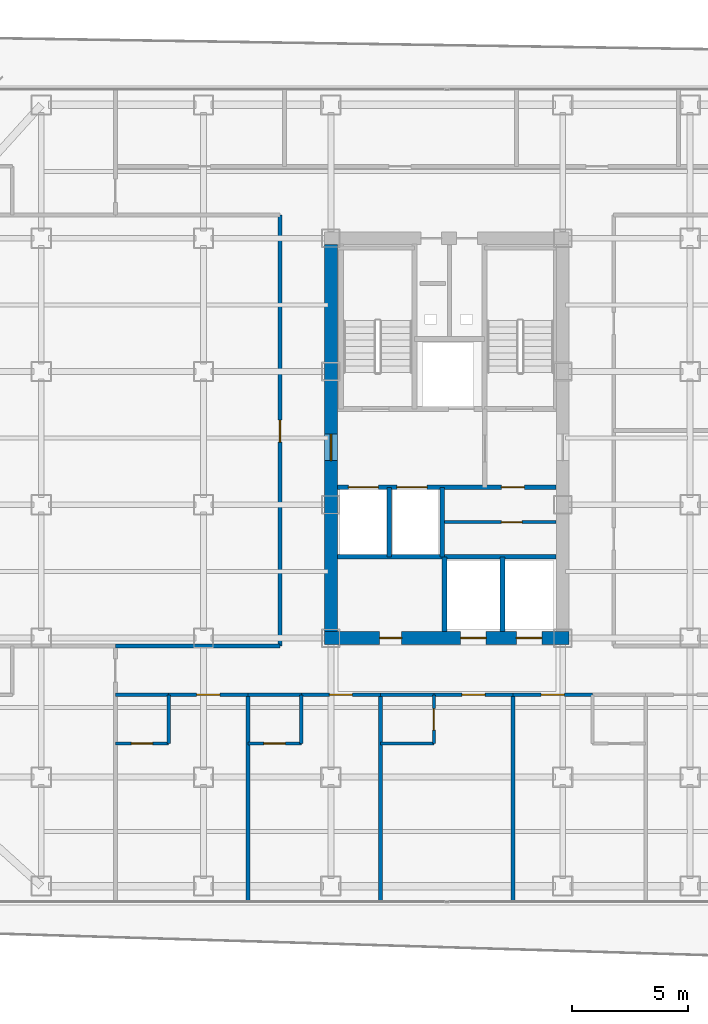
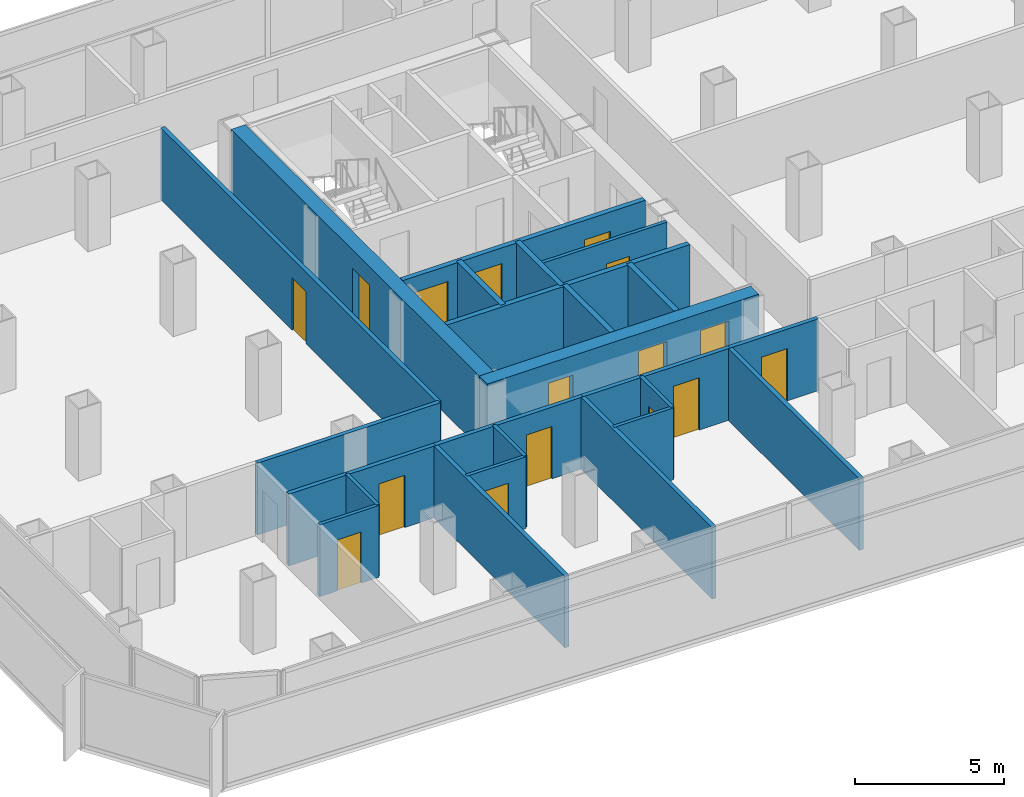
# One storey, part 16 of 21: 27 walls, 16 doors, 16 openings.
"""IFC4 building model written with IfcOpenShell, lengths in metres."""

from ifc_helpers import new_model, si_unit, direction, frame, frame_2d, origin, place, context, subcontext, project, spatial, rectangle, extrude, material, layer, layer_set, type_object, element, fill, save


model = new_model("IFC4")

# Units and contexts
model_context = context("Model", 3, precision=1e-05, world=origin(), true_north=direction((0.0, 1.0)))
body_context = subcontext(model_context, "Body", "Model", "MODEL_VIEW")
ifc_project = project(units=[si_unit("LENGTHUNIT", "METRE"), si_unit("AREAUNIT", "SQUARE_METRE"), si_unit("VOLUMEUNIT", "CUBIC_METRE"), si_unit("PLANEANGLEUNIT", "RADIAN"), si_unit("MASSUNIT", "GRAM", prefix="KILO")], contexts=[model_context])

# Site, building, storey
site_placement = place(None, origin())
site = spatial("IfcSite", under=ifc_project, at=site_placement, CompositionType="ELEMENT")
building_placement = place(site_placement, origin())
building = spatial("IfcBuilding", under=site, at=building_placement, Name="Kolveth Station Tower", CompositionType="ELEMENT")
storey_placement = place(building_placement, frame((0.0, 0.0, 99.10009765625)))
storey = spatial("IfcBuildingStorey", under=building, at=storey_placement, Name="L26", CompositionType="ELEMENT", Elevation=99.10009765625)

# Wall, openings, doors
ifc_material_1 = material(Name="Concrete C60/75", Category="concrete")
ifc_layer_1 = layer(ifc_material_1, 0.550048828125)
ifc_layer_set_1 = layer_set([ifc_layer_1], Name="Concrete C60/75")
wall_type_1 = type_object("IfcWallType", Name="Wall_CW-550", PredefinedType="SHEAR", material=ifc_layer_set_1)
wall_1_placement = place(storey_placement, frame((18.22509765625, 11.5, 0.0), z_axis=(0.0, 0.0, 1.0), x_axis=(1.0, 0.0, 0.0)))
wall_1 = element("IfcWall", 1, at=wall_1_placement, inside=storey, type_object=wall_type_1, Name="L26 Core RC Shear Wall S", PredefinedType="SHEAR", context=body_context, shape_type="SweptSolid", body=[
    extrude(rectangle(XDim=10.5498046875, YDim=0.550048828125, at=frame_2d((5.27490234375, 0.0))), origin(), (0.0, 0.0, 1.0), 2.949951171875),
])
opening_1_placement = place(wall_1_placement, frame((2.375, 0.0, 0.0)))
opening_1 = element("IfcOpeningElement", 2, at=opening_1_placement, cuts=wall_1, Name="Opening ID1", PredefinedType="OPENING", context=body_context, shape_type="SweptSolid", body=[
    extrude(rectangle(XDim=0.949951171875, YDim=2.14990234375, at=frame_2d((0.47509765625, 1.074951171875))), frame((0.0, 0.284912109375, 0.0), z_axis=(0.0, -1.0, 0.0), x_axis=(1.0, 0.0, 0.0)), (0.0, 0.0, 1.0), 0.570068359375),
])
opening_2_placement = place(wall_1_placement, frame((5.875, 0.0, 0.0)))
opening_2 = element("IfcOpeningElement", 3, at=opening_2_placement, cuts=wall_1, Name="Opening LD1", PredefinedType="OPENING", context=body_context, shape_type="SweptSolid", body=[
    extrude(rectangle(XDim=1.10009765625, YDim=2.25, at=frame_2d((0.550048828125, 1.125))), frame((0.0, 0.284912109375, 0.0), z_axis=(0.0, -1.0, 0.0), x_axis=(1.0, 0.0, 0.0)), (0.0, 0.0, 1.0), 0.570068359375),
])
opening_3_placement = place(wall_1_placement, frame((8.27490234375, 0.0, 0.0)))
opening_3 = element("IfcOpeningElement", 4, at=opening_3_placement, cuts=wall_1, Name="Opening LD1", PredefinedType="OPENING", context=body_context, shape_type="SweptSolid", body=[
    extrude(rectangle(XDim=1.10009765625, YDim=2.25, at=frame_2d((0.550048828125, 1.125))), frame((0.0, 0.284912109375, 0.0), z_axis=(0.0, -1.0, 0.0), x_axis=(1.0, 0.0, 0.0)), (0.0, 0.0, 1.0), 0.570068359375),
])
ifc_material_2 = material(Name="Acoustic hardwood leaf and aluminium frame", Category="wood")
door_type_1 = type_object("IfcDoorType", Name="Door_ID1", OperationType="NOTDEFINED", PredefinedType="DOOR", material=ifc_material_2)
door_1_placement = place(opening_1_placement, frame((0.949951171875, 0.0, 0.0), z_axis=(0.0, 0.0, 1.0), x_axis=(-1.0, 0.0, 0.0)))
door_1 = element("IfcDoor", 5, at=door_1_placement, inside=storey, type_object=door_type_1, Name="L26 Hotel Pantry Door", OperationType="SINGLE_SWING_RIGHT", OverallHeight=2.14990234375, OverallWidth=0.949951171875, PredefinedType="DOOR", context=body_context, shape_type="SweptSolid", body=[
    extrude(rectangle(XDim=0.949951171875, YDim=2.14990234375, at=frame_2d((0.47509765625, 1.074951171875))), frame((0.0, 0.02490234375, 0.0), z_axis=(0.0, -1.0, 0.0), x_axis=(1.0, 0.0, 0.0)), (0.0, 0.0, 1.0), 0.050048828125),
])
fill(opening_1, door_1)
ifc_material_3 = material(Name="Brushed stainless steel sliding landing doors", Category="steel")
door_type_2 = type_object("IfcDoorType", Name="Door_LD1", OperationType="NOTDEFINED", PredefinedType="DOOR", material=ifc_material_3)
door_2_placement = place(opening_2_placement, frame((1.10009765625, 0.0, 0.0), z_axis=(0.0, 0.0, 1.0), x_axis=(-1.0, 0.0, 0.0)))
door_2 = element("IfcDoor", 6, at=door_2_placement, inside=storey, type_object=door_type_2, Name="L26 Lift PM1 Landing Door", OperationType="DOUBLE_DOOR_SLIDING", OverallHeight=2.25, OverallWidth=1.10009765625, PredefinedType="DOOR", context=body_context, shape_type="SweptSolid", body=[
    extrude(rectangle(XDim=1.10009765625, YDim=2.25, at=frame_2d((0.550048828125, 1.125))), frame((0.0, 0.02490234375, 0.0), z_axis=(0.0, -1.0, 0.0), x_axis=(1.0, 0.0, 0.0)), (0.0, 0.0, 1.0), 0.050048828125),
])
fill(opening_2, door_2)
door_3_placement = place(opening_3_placement, frame((1.10009765625, 0.0, 0.0), z_axis=(0.0, 0.0, 1.0), x_axis=(-1.0, 0.0, 0.0)))
door_3 = element("IfcDoor", 7, at=door_3_placement, inside=storey, type_object=door_type_2, Name="L26 Lift PH1 Landing Door", OperationType="DOUBLE_DOOR_SLIDING", OverallHeight=2.25, OverallWidth=1.10009765625, PredefinedType="DOOR", context=body_context, shape_type="SweptSolid", body=[
    extrude(rectangle(XDim=1.10009765625, YDim=2.25, at=frame_2d((0.550048828125, 1.125))), frame((0.0, 0.02490234375, 0.0), z_axis=(0.0, -1.0, 0.0), x_axis=(1.0, 0.0, 0.0)), (0.0, 0.0, 1.0), 0.050048828125),
])
fill(opening_3, door_3)

# Wall, opening, door
wall_2_placement = place(storey_placement, frame((18.5, 11.77490234375, 0.0), z_axis=(0.0, 0.0, 1.0), x_axis=(0.0, 1.0, 0.0)))
wall_2 = element("IfcWall", 8, at=wall_2_placement, inside=storey, type_object=wall_type_1, Name="L26 Core RC Shear Wall W", PredefinedType="SHEAR", context=body_context, shape_type="SweptSolid", body=[
    extrude(rectangle(XDim=16.7001953125, YDim=0.550048828125, at=frame_2d((8.35009765625, 0.0))), origin(), (0.0, 0.0, 1.0), 2.949951171875),
])
opening_4_placement = place(wall_2_placement, frame((7.375, 0.0, 0.0)))
opening_4 = element("IfcOpeningElement", 9, at=opening_4_placement, cuts=wall_2, Name="Opening FD1", PredefinedType="OPENING", context=body_context, shape_type="SweptSolid", body=[
    extrude(rectangle(XDim=1.14990234375, YDim=2.199951171875, at=frame_2d((0.574951171875, 1.10009765625))), frame((0.0, 0.284912109375, 0.0), z_axis=(0.0, -1.0, 0.0), x_axis=(1.0, 0.0, 0.0)), (0.0, 0.0, 1.0), 0.570068359375),
])
ifc_material_4 = material(Name="Fire-rated Steel S355 leaf and frame", Category="steel")
door_type_3 = type_object("IfcDoorType", Name="Door_FD1", OperationType="NOTDEFINED", PredefinedType="DOOR", material=ifc_material_4)
door_4_placement = place(opening_4_placement, frame((1.14990234375, 0.0, 0.0), z_axis=(0.0, 0.0, 1.0), x_axis=(-1.0, 0.0, 0.0)))
door_4 = element("IfcDoor", 10, at=door_4_placement, inside=storey, type_object=door_type_3, Name="L26 West Corridor to Firefighting Lobby Door", OperationType="SINGLE_SWING_LEFT", OverallHeight=2.199951171875, OverallWidth=1.14990234375, PredefinedType="DOOR", context=body_context, shape_type="SweptSolid", body=[
    extrude(rectangle(XDim=1.14990234375, YDim=2.199951171875, at=frame_2d((0.574951171875, 1.10009765625))), frame((0.0, 0.02490234375, 0.0), z_axis=(0.0, -1.0, 0.0), x_axis=(1.0, 0.0, 0.0)), (0.0, 0.0, 1.0), 0.050048828125),
])
fill(opening_4, door_4)

ifc_material_5 = material(Name="Moisture-resistant gypsum partition")
ifc_layer_2 = layer(ifc_material_5, 0.135009765625)
ifc_layer_set_2 = layer_set([ifc_layer_2], Name="Moisture-resistant gypsum partition")
wall_type_2 = type_object("IfcWallType", Name="Wall_IW-135", PredefinedType="PARTITIONING", material=ifc_layer_set_2)
wall_3_placement = place(storey_placement, frame((23.300048828125, 16.5, 0.0), z_axis=(0.0, 0.0, 1.0), x_axis=(1.0, 0.0, 0.0)))
wall_3 = element("IfcWall", 11, at=wall_3_placement, inside=storey, type_object=wall_type_2, Name="L26 Partition Wall WL-L26-CB-H1", PredefinedType="PARTITIONING", context=body_context, shape_type="SweptSolid", body=[
    extrude(rectangle(XDim=4.9150390625, YDim=0.135009765625, at=frame_2d((2.45751953125, 0.0))), origin(), (0.0, 0.0, 1.0), 2.949951171875),
])
opening_5_placement = place(wall_3_placement, frame((2.550048828125, 0.0, 0.0)))
opening_5 = element("IfcOpeningElement", 12, at=opening_5_placement, cuts=wall_3, Name="Opening RD1", PredefinedType="OPENING", context=body_context, shape_type="SweptSolid", body=[
    extrude(rectangle(XDim=0.89990234375, YDim=2.050048828125, at=frame_2d((0.449951171875, 1.02490234375))), frame((0.0, 0.077392578125, 0.0), z_axis=(0.0, -1.0, 0.0), x_axis=(1.0, 0.0, 0.0)), (0.0, 0.0, 1.0), 0.155029296875),
])
ifc_material_6 = material(Name="Fire-rated Steel S355 riser access leaf", Category="steel")
door_type_4 = type_object("IfcDoorType", Name="Door_RD1", OperationType="NOTDEFINED", PredefinedType="DOOR", material=ifc_material_6)
door_5_placement = place(opening_5_placement, frame((0.89990234375, 0.0, 0.0), z_axis=(0.0, 0.0, 1.0), x_axis=(-1.0, 0.0, 0.0)))
door_5 = element("IfcDoor", 13, at=door_5_placement, inside=storey, type_object=door_type_4, Name="L26 Core Equipment Store Door", OperationType="SINGLE_SWING_LEFT", OverallHeight=2.050048828125, OverallWidth=0.89990234375, PredefinedType="DOOR", context=body_context, shape_type="SweptSolid", body=[
    extrude(rectangle(XDim=0.89990234375, YDim=2.050048828125, at=frame_2d((0.449951171875, 1.02490234375))), frame((0.0, 0.02490234375, 0.0), z_axis=(0.0, -1.0, 0.0), x_axis=(1.0, 0.0, 0.0)), (0.0, 0.0, 1.0), 0.050048828125),
])
fill(opening_5, door_5)

# Wall
wall_4_placement = place(storey_placement, frame((11.5, 6.949951171875, 0.0), z_axis=(0.0, 0.0, 1.0), x_axis=(0.0, 1.0, 0.0)))
element("IfcWall", 14, at=wall_4_placement, inside=storey, type_object=wall_type_2, Name="L26 Partition Wall WL-L26-HS1-BV", PredefinedType="PARTITIONING", context=body_context, shape_type="SweptSolid", body=[
    extrude(rectangle(XDim=2.10009765625, YDim=0.135009765625, at=frame_2d((1.050048828125, 0.0))), origin(), (0.0, 0.0, 1.0), 2.949951171875),
])

# Wall, opening, door
wall_5_placement = place(storey_placement, frame((9.199951171875, 6.949951171875, 0.0), z_axis=(0.0, 0.0, 1.0), x_axis=(1.0, 0.0, 0.0)))
wall_5 = element("IfcWall", 15, at=wall_5_placement, inside=storey, type_object=wall_type_2, Name="L26 Partition Wall WL-L26-HS1-BH", PredefinedType="PARTITIONING", context=body_context, shape_type="SweptSolid", body=[
    extrude(rectangle(XDim=2.300048828125, YDim=0.135009765625, at=frame_2d((1.14990234375, 0.0))), origin(), (0.0, 0.0, 1.0), 2.949951171875),
])
opening_6_placement = place(wall_5_placement, frame((0.68994140625, 0.0, 0.0)))
opening_6 = element("IfcOpeningElement", 16, at=opening_6_placement, cuts=wall_5, Name="Opening ID2", PredefinedType="OPENING", context=body_context, shape_type="SweptSolid", body=[
    extrude(rectangle(XDim=0.919921875, YDim=2.10009765625, at=frame_2d((0.4599609375, 1.050048828125))), frame((0.0, 0.077392578125, 0.0), z_axis=(0.0, -1.0, 0.0), x_axis=(1.0, 0.0, 0.0)), (0.0, 0.0, 1.0), 0.155029296875),
])
ifc_material_7 = material(Name="Moisture-resistant hardwood leaf", Category="wood")
door_type_5 = type_object("IfcDoorType", Name="Door_ID2", OperationType="NOTDEFINED", PredefinedType="DOOR", material=ifc_material_7)
door_6_placement = place(opening_6_placement, origin())
door_6 = element("IfcDoor", 17, at=door_6_placement, inside=storey, type_object=door_type_5, Name="L26 Hotel Guest Room HS1 En-Suite Door", OperationType="SINGLE_SWING_LEFT", OverallHeight=2.10009765625, OverallWidth=0.919921875, PredefinedType="DOOR", context=body_context, shape_type="SweptSolid", body=[
    extrude(rectangle(XDim=0.919921875, YDim=2.10009765625, at=frame_2d((0.4599609375, 1.050048828125))), frame((0.0, 0.02490234375, 0.0), z_axis=(0.0, -1.0, 0.0), x_axis=(1.0, 0.0, 0.0)), (0.0, 0.0, 1.0), 0.050048828125),
])
fill(opening_6, door_6)

# Wall
wall_6_placement = place(storey_placement, frame((17.219970703125, 6.949951171875, 0.0), z_axis=(0.0, 0.0, 1.0), x_axis=(0.0, 1.0, 0.0)))
element("IfcWall", 18, at=wall_6_placement, inside=storey, type_object=wall_type_2, Name="L26 Partition Wall WL-L26-HS2-BV", PredefinedType="PARTITIONING", context=body_context, shape_type="SweptSolid", body=[
    extrude(rectangle(XDim=2.10009765625, YDim=0.135009765625, at=frame_2d((1.050048828125, 0.0))), origin(), (0.0, 0.0, 1.0), 2.949951171875),
])

# Wall, opening, door
wall_7_placement = place(storey_placement, frame((14.919921875, 6.949951171875, 0.0), z_axis=(0.0, 0.0, 1.0), x_axis=(1.0, 0.0, 0.0)))
wall_7 = element("IfcWall", 19, at=wall_7_placement, inside=storey, type_object=wall_type_2, Name="L26 Partition Wall WL-L26-HS2-BH", PredefinedType="PARTITIONING", context=body_context, shape_type="SweptSolid", body=[
    extrude(rectangle(XDim=2.300048828125, YDim=0.135009765625, at=frame_2d((1.14990234375, 0.0))), origin(), (0.0, 0.0, 1.0), 2.949951171875),
])
opening_7_placement = place(wall_7_placement, frame((0.68994140625, 0.0, 0.0)))
opening_7 = element("IfcOpeningElement", 20, at=opening_7_placement, cuts=wall_7, Name="Opening ID2", PredefinedType="OPENING", context=body_context, shape_type="SweptSolid", body=[
    extrude(rectangle(XDim=0.919921875, YDim=2.10009765625, at=frame_2d((0.4599609375, 1.050048828125))), frame((0.0, 0.077392578125, 0.0), z_axis=(0.0, -1.0, 0.0), x_axis=(1.0, 0.0, 0.0)), (0.0, 0.0, 1.0), 0.155029296875),
])
door_7_placement = place(opening_7_placement, origin())
door_7 = element("IfcDoor", 21, at=door_7_placement, inside=storey, type_object=door_type_5, Name="L26 Hotel Guest Room HS2 En-Suite Door", OperationType="SINGLE_SWING_LEFT", OverallHeight=2.10009765625, OverallWidth=0.919921875, PredefinedType="DOOR", context=body_context, shape_type="SweptSolid", body=[
    extrude(rectangle(XDim=0.919921875, YDim=2.10009765625, at=frame_2d((0.4599609375, 1.050048828125))), frame((0.0, 0.02490234375, 0.0), z_axis=(0.0, -1.0, 0.0), x_axis=(1.0, 0.0, 0.0)), (0.0, 0.0, 1.0), 0.050048828125),
])
fill(opening_7, door_7)

wall_8_placement = place(storey_placement, frame((22.93994140625, 6.949951171875, 0.0), z_axis=(0.0, 0.0, 1.0), x_axis=(0.0, 1.0, 0.0)))
wall_8 = element("IfcWall", 22, at=wall_8_placement, inside=storey, type_object=wall_type_2, Name="L26 Partition Wall WL-L26-HS3-BV", PredefinedType="PARTITIONING", context=body_context, shape_type="SweptSolid", body=[
    extrude(rectangle(XDim=2.10009765625, YDim=0.135009765625, at=frame_2d((1.050048828125, 0.0))), origin(), (0.0, 0.0, 1.0), 2.949951171875),
])
opening_8_placement = place(wall_8_placement, frame((0.580078125, 0.0, 0.0)))
opening_8 = element("IfcOpeningElement", 23, at=opening_8_placement, cuts=wall_8, Name="Opening ID2", PredefinedType="OPENING", context=body_context, shape_type="SweptSolid", body=[
    extrude(rectangle(XDim=0.919921875, YDim=2.10009765625, at=frame_2d((0.4599609375, 1.050048828125))), frame((0.0, 0.077392578125, 0.0), z_axis=(0.0, -1.0, 0.0), x_axis=(1.0, 0.0, 0.0)), (0.0, 0.0, 1.0), 0.155029296875),
])
door_8_placement = place(opening_8_placement, frame((0.919921875, 0.0, 0.0), z_axis=(0.0, 0.0, 1.0), x_axis=(-1.0, 0.0, 0.0)))
door_8 = element("IfcDoor", 24, at=door_8_placement, inside=storey, type_object=door_type_5, Name="L26 Hotel Guest Room HS3 En-Suite Door", OperationType="SINGLE_SWING_LEFT", OverallHeight=2.10009765625, OverallWidth=0.919921875, PredefinedType="DOOR", context=body_context, shape_type="SweptSolid", body=[
    extrude(rectangle(XDim=0.919921875, YDim=2.10009765625, at=frame_2d((0.4599609375, 1.050048828125))), frame((0.0, 0.02490234375, 0.0), z_axis=(0.0, -1.0, 0.0), x_axis=(1.0, 0.0, 0.0)), (0.0, 0.0, 1.0), 0.050048828125),
])
fill(opening_8, door_8)

# Walls
wall_9_placement = place(storey_placement, frame((20.639892578125, 6.949951171875, 0.0), z_axis=(0.0, 0.0, 1.0), x_axis=(1.0, 0.0, 0.0)))
element("IfcWall", 25, at=wall_9_placement, inside=storey, type_object=wall_type_2, Name="L26 Partition Wall WL-L26-HS3-BH", PredefinedType="PARTITIONING", context=body_context, shape_type="SweptSolid", body=[
    extrude(rectangle(XDim=2.300048828125, YDim=0.135009765625, at=frame_2d((1.14990234375, 0.0))), origin(), (0.0, 0.0, 1.0), 2.949951171875),
])
ifc_material_8 = material(Name="Acoustic double-stud gypsum partition")
ifc_layer_3 = layer(ifc_material_8, 0.1650390625)
ifc_layer_set_3 = layer_set([ifc_layer_3], Name="Acoustic double-stud gypsum partition")
wall_type_3 = type_object("IfcWallType", Name="Wall_IW-165", PredefinedType="PARTITIONING", material=ifc_layer_set_3)
wall_10_placement = place(storey_placement, frame((9.199951171875, 11.14990234375, 0.0), z_axis=(0.0, 0.0, 1.0), x_axis=(1.0, 0.0, 0.0)))
element("IfcWall", 26, at=wall_10_placement, inside=storey, type_object=wall_type_3, Name="L26 Partition Wall WL-L26-HSWT", PredefinedType="PARTITIONING", context=body_context, shape_type="SweptSolid", body=[
    extrude(rectangle(XDim=7.10009765625, YDim=0.1650390625, at=frame_2d((3.550048828125, 0.0))), origin(), (0.0, 0.0, 1.0), 2.949951171875),
])

# Wall, opening, door
wall_11_placement = place(storey_placement, frame((16.300048828125, 11.14990234375, 0.0), z_axis=(0.0, 0.0, 1.0), x_axis=(0.0, 1.0, 0.0)))
wall_11 = element("IfcWall", 27, at=wall_11_placement, inside=storey, type_object=wall_type_3, Name="L26 Partition Wall WL-L26-HW", PredefinedType="PARTITIONING", context=body_context, shape_type="SweptSolid", body=[
    extrude(rectangle(XDim=18.60009765625, YDim=0.1650390625, at=frame_2d((9.300048828125, 0.0))), origin(), (0.0, 0.0, 1.0), 2.949951171875),
])
opening_9_placement = place(wall_11_placement, frame((8.800048828125, 0.0, 0.0)))
opening_9 = element("IfcOpeningElement", 28, at=opening_9_placement, cuts=wall_11, Name="Opening ID1", PredefinedType="OPENING", context=body_context, shape_type="SweptSolid", body=[
    extrude(rectangle(XDim=0.949951171875, YDim=2.14990234375, at=frame_2d((0.47509765625, 1.074951171875))), frame((0.0, 0.092529296875, 0.0), z_axis=(0.0, -1.0, 0.0), x_axis=(1.0, 0.0, 0.0)), (0.0, 0.0, 1.0), 0.18505859375),
])
door_9_placement = place(opening_9_placement, frame((0.949951171875, 0.0, 0.0), z_axis=(0.0, 0.0, 1.0), x_axis=(-1.0, 0.0, 0.0)))
door_9 = element("IfcDoor", 29, at=door_9_placement, inside=storey, type_object=door_type_1, Name="L26 Executive Banquet Salon Door", OperationType="SINGLE_SWING_LEFT", OverallHeight=2.14990234375, OverallWidth=0.949951171875, PredefinedType="DOOR", context=body_context, shape_type="SweptSolid", body=[
    extrude(rectangle(XDim=0.949951171875, YDim=2.14990234375, at=frame_2d((0.47509765625, 1.074951171875))), frame((0.0, 0.02490234375, 0.0), z_axis=(0.0, -1.0, 0.0), x_axis=(1.0, 0.0, 0.0)), (0.0, 0.0, 1.0), 0.050048828125),
])
fill(opening_9, door_9)

# Wall
wall_12_placement = place(storey_placement, frame((9.199951171875, 9.050048828125, 0.0), z_axis=(0.0, 0.0, 1.0), x_axis=(1.0, 0.0, 0.0)))
element("IfcWall", 30, at=wall_12_placement, inside=storey, type_object=wall_type_3, Name="L26 Partition Wall WL-L26-HS1-BCOR", PredefinedType="PARTITIONING", context=body_context, shape_type="SweptSolid", body=[
    extrude(rectangle(XDim=2.300048828125, YDim=0.1650390625, at=frame_2d((1.14990234375, 0.0))), origin(), (0.0, 0.0, 1.0), 2.949951171875),
])

# Wall, opening, door
wall_13_placement = place(storey_placement, frame((11.5, 9.050048828125, 0.0), z_axis=(0.0, 0.0, 1.0), x_axis=(1.0, 0.0, 0.0)))
wall_13 = element("IfcWall", 31, at=wall_13_placement, inside=storey, type_object=wall_type_3, Name="L26 Partition Wall WL-L26-HS1-RCOR", PredefinedType="PARTITIONING", context=body_context, shape_type="SweptSolid", body=[
    extrude(rectangle(XDim=3.419921875, YDim=0.1650390625, at=frame_2d((1.7099609375, 0.0))), origin(), (0.0, 0.0, 1.0), 2.949951171875),
])
opening_10_placement = place(wall_13_placement, frame((1.2099609375, 0.0, 0.0)))
opening_10 = element("IfcOpeningElement", 32, at=opening_10_placement, cuts=wall_13, Name="Opening FD3", PredefinedType="OPENING", context=body_context, shape_type="SweptSolid", body=[
    extrude(rectangle(XDim=1.0, YDim=2.14990234375, at=frame_2d((0.5, 1.074951171875))), frame((0.0, 0.092529296875, 0.0), z_axis=(0.0, -1.0, 0.0), x_axis=(1.0, 0.0, 0.0)), (0.0, 0.0, 1.0), 0.18505859375),
])
ifc_material_9 = material(Name="Fire-rated hardwood leaf and aluminium frame", Category="wood")
door_type_6 = type_object("IfcDoorType", Name="Door_FD3", OperationType="NOTDEFINED", PredefinedType="DOOR", material=ifc_material_9)
door_10_placement = place(opening_10_placement, frame((1.0, 0.0, 0.0), z_axis=(0.0, 0.0, 1.0), x_axis=(-1.0, 0.0, 0.0)))
door_10 = element("IfcDoor", 33, at=door_10_placement, inside=storey, type_object=door_type_6, Name="L26 Hotel Guest Room HS1 Entrance Door", OperationType="SINGLE_SWING_RIGHT", OverallHeight=2.14990234375, OverallWidth=1.0, PredefinedType="DOOR", context=body_context, shape_type="SweptSolid", body=[
    extrude(rectangle(XDim=1.0, YDim=2.14990234375, at=frame_2d((0.5, 1.074951171875))), frame((0.0, 0.02490234375, 0.0), z_axis=(0.0, -1.0, 0.0), x_axis=(1.0, 0.0, 0.0)), (0.0, 0.0, 1.0), 0.050048828125),
])
fill(opening_10, door_10)

# Walls
wall_14_placement = place(storey_placement, frame((14.919921875, 0.159912109375, 0.0), z_axis=(0.0, 0.0, 1.0), x_axis=(0.0, 1.0, 0.0)))
element("IfcWall", 34, at=wall_14_placement, inside=storey, type_object=wall_type_3, Name="L26 Partition Wall WL-L26-HSK-1", PredefinedType="PARTITIONING", context=body_context, shape_type="SweptSolid", body=[
    extrude(rectangle(XDim=8.89013671875, YDim=0.1650390625, at=frame_2d((4.445068359375, 0.0))), origin(), (0.0, 0.0, 1.0), 2.949951171875),
])
wall_15_placement = place(storey_placement, frame((14.919921875, 9.050048828125, 0.0), z_axis=(0.0, 0.0, 1.0), x_axis=(1.0, 0.0, 0.0)))
element("IfcWall", 35, at=wall_15_placement, inside=storey, type_object=wall_type_3, Name="L26 Partition Wall WL-L26-HS2-BCOR", PredefinedType="PARTITIONING", context=body_context, shape_type="SweptSolid", body=[
    extrude(rectangle(XDim=2.300048828125, YDim=0.1650390625, at=frame_2d((1.14990234375, 0.0))), origin(), (0.0, 0.0, 1.0), 2.949951171875),
])

# Wall, opening, door
wall_16_placement = place(storey_placement, frame((17.219970703125, 9.050048828125, 0.0), z_axis=(0.0, 0.0, 1.0), x_axis=(1.0, 0.0, 0.0)))
wall_16 = element("IfcWall", 36, at=wall_16_placement, inside=storey, type_object=wall_type_3, Name="L26 Partition Wall WL-L26-HS2-RCOR", PredefinedType="PARTITIONING", context=body_context, shape_type="SweptSolid", body=[
    extrude(rectangle(XDim=3.419921875, YDim=0.1650390625, at=frame_2d((1.7099609375, 0.0))), origin(), (0.0, 0.0, 1.0), 2.949951171875),
])
opening_11_placement = place(wall_16_placement, frame((1.2099609375, 0.0, 0.0)))
opening_11 = element("IfcOpeningElement", 37, at=opening_11_placement, cuts=wall_16, Name="Opening FD3", PredefinedType="OPENING", context=body_context, shape_type="SweptSolid", body=[
    extrude(rectangle(XDim=1.0, YDim=2.14990234375, at=frame_2d((0.5, 1.074951171875))), frame((0.0, 0.092529296875, 0.0), z_axis=(0.0, -1.0, 0.0), x_axis=(1.0, 0.0, 0.0)), (0.0, 0.0, 1.0), 0.18505859375),
])
door_11_placement = place(opening_11_placement, frame((1.0, 0.0, 0.0), z_axis=(0.0, 0.0, 1.0), x_axis=(-1.0, 0.0, 0.0)))
door_11 = element("IfcDoor", 38, at=door_11_placement, inside=storey, type_object=door_type_6, Name="L26 Hotel Guest Room HS2 Entrance Door", OperationType="SINGLE_SWING_RIGHT", OverallHeight=2.14990234375, OverallWidth=1.0, PredefinedType="DOOR", context=body_context, shape_type="SweptSolid", body=[
    extrude(rectangle(XDim=1.0, YDim=2.14990234375, at=frame_2d((0.5, 1.074951171875))), frame((0.0, 0.02490234375, 0.0), z_axis=(0.0, -1.0, 0.0), x_axis=(1.0, 0.0, 0.0)), (0.0, 0.0, 1.0), 0.050048828125),
])
fill(opening_11, door_11)

# Walls
wall_17_placement = place(storey_placement, frame((20.639892578125, 0.159912109375, 0.0), z_axis=(0.0, 0.0, 1.0), x_axis=(0.0, 1.0, 0.0)))
element("IfcWall", 39, at=wall_17_placement, inside=storey, type_object=wall_type_3, Name="L26 Partition Wall WL-L26-HSK-2", PredefinedType="PARTITIONING", context=body_context, shape_type="SweptSolid", body=[
    extrude(rectangle(XDim=8.89013671875, YDim=0.1650390625, at=frame_2d((4.445068359375, 0.0))), origin(), (0.0, 0.0, 1.0), 2.949951171875),
])
wall_18_placement = place(storey_placement, frame((20.639892578125, 9.050048828125, 0.0), z_axis=(0.0, 0.0, 1.0), x_axis=(1.0, 0.0, 0.0)))
element("IfcWall", 40, at=wall_18_placement, inside=storey, type_object=wall_type_3, Name="L26 Partition Wall WL-L26-HS3-BCOR", PredefinedType="PARTITIONING", context=body_context, shape_type="SweptSolid", body=[
    extrude(rectangle(XDim=2.300048828125, YDim=0.1650390625, at=frame_2d((1.14990234375, 0.0))), origin(), (0.0, 0.0, 1.0), 2.949951171875),
])

# Wall, opening, door
wall_19_placement = place(storey_placement, frame((22.93994140625, 9.050048828125, 0.0), z_axis=(0.0, 0.0, 1.0), x_axis=(1.0, 0.0, 0.0)))
wall_19 = element("IfcWall", 41, at=wall_19_placement, inside=storey, type_object=wall_type_3, Name="L26 Partition Wall WL-L26-HS3-RCOR", PredefinedType="PARTITIONING", context=body_context, shape_type="SweptSolid", body=[
    extrude(rectangle(XDim=3.420166015625, YDim=0.1650390625, at=frame_2d((1.7099609375, 0.0))), origin(), (0.0, 0.0, 1.0), 2.949951171875),
])
opening_12_placement = place(wall_19_placement, frame((1.2099609375, 0.0, 0.0)))
opening_12 = element("IfcOpeningElement", 42, at=opening_12_placement, cuts=wall_19, Name="Opening FD3", PredefinedType="OPENING", context=body_context, shape_type="SweptSolid", body=[
    extrude(rectangle(XDim=1.0, YDim=2.14990234375, at=frame_2d((0.5, 1.074951171875))), frame((0.0, 0.092529296875, 0.0), z_axis=(0.0, -1.0, 0.0), x_axis=(1.0, 0.0, 0.0)), (0.0, 0.0, 1.0), 0.18505859375),
])
door_12_placement = place(opening_12_placement, frame((1.0, 0.0, 0.0), z_axis=(0.0, 0.0, 1.0), x_axis=(-1.0, 0.0, 0.0)))
door_12 = element("IfcDoor", 43, at=door_12_placement, inside=storey, type_object=door_type_6, Name="L26 Hotel Guest Room HS3 Entrance Door", OperationType="SINGLE_SWING_RIGHT", OverallHeight=2.14990234375, OverallWidth=1.0, PredefinedType="DOOR", context=body_context, shape_type="SweptSolid", body=[
    extrude(rectangle(XDim=1.0, YDim=2.14990234375, at=frame_2d((0.5, 1.074951171875))), frame((0.0, 0.02490234375, 0.0), z_axis=(0.0, -1.0, 0.0), x_axis=(1.0, 0.0, 0.0)), (0.0, 0.0, 1.0), 0.050048828125),
])
fill(opening_12, door_12)

# Wall
wall_20_placement = place(storey_placement, frame((26.360107421875, 0.159912109375, 0.0), z_axis=(0.0, 0.0, 1.0), x_axis=(0.0, 1.0, 0.0)))
element("IfcWall", 44, at=wall_20_placement, inside=storey, type_object=wall_type_3, Name="L26 Partition Wall WL-L26-HSK-3", PredefinedType="PARTITIONING", context=body_context, shape_type="SweptSolid", body=[
    extrude(rectangle(XDim=8.89013671875, YDim=0.1650390625, at=frame_2d((4.445068359375, 0.0))), origin(), (0.0, 0.0, 1.0), 2.949951171875),
])

# Wall, opening, door
wall_21_placement = place(storey_placement, frame((26.360107421875, 9.050048828125, 0.0), z_axis=(0.0, 0.0, 1.0), x_axis=(1.0, 0.0, 0.0)))
wall_21 = element("IfcWall", 45, at=wall_21_placement, inside=storey, type_object=wall_type_3, Name="L26 Partition Wall WL-L26-HS4-RCOR", PredefinedType="PARTITIONING", context=body_context, shape_type="SweptSolid", body=[
    extrude(rectangle(XDim=3.419921875, YDim=0.1650390625, at=frame_2d((1.7099609375, 0.0))), origin(), (0.0, 0.0, 1.0), 2.949951171875),
])
opening_13_placement = place(wall_21_placement, frame((1.2099609375, 0.0, 0.0)))
opening_13 = element("IfcOpeningElement", 46, at=opening_13_placement, cuts=wall_21, Name="Opening FD3", PredefinedType="OPENING", context=body_context, shape_type="SweptSolid", body=[
    extrude(rectangle(XDim=1.0, YDim=2.14990234375, at=frame_2d((0.5, 1.074951171875))), frame((0.0, 0.092529296875, 0.0), z_axis=(0.0, -1.0, 0.0), x_axis=(1.0, 0.0, 0.0)), (0.0, 0.0, 1.0), 0.18505859375),
])
door_13_placement = place(opening_13_placement, frame((1.0, 0.0, 0.0), z_axis=(0.0, 0.0, 1.0), x_axis=(-1.0, 0.0, 0.0)))
door_13 = element("IfcDoor", 47, at=door_13_placement, inside=storey, type_object=door_type_6, Name="L26 Hotel Guest Room HS4 Entrance Door", OperationType="SINGLE_SWING_LEFT", OverallHeight=2.14990234375, OverallWidth=1.0, PredefinedType="DOOR", context=body_context, shape_type="SweptSolid", body=[
    extrude(rectangle(XDim=1.0, YDim=2.14990234375, at=frame_2d((0.5, 1.074951171875))), frame((0.0, 0.02490234375, 0.0), z_axis=(0.0, -1.0, 0.0), x_axis=(1.0, 0.0, 0.0)), (0.0, 0.0, 1.0), 0.050048828125),
])
fill(opening_13, door_13)

# Wall, openings, doors
ifc_material_10 = material(Name="Acoustic fire-rated gypsum blockwork", Category="masonry")
ifc_layer_4 = layer(ifc_material_10, 0.199951171875)
ifc_layer_set_4 = layer_set([ifc_layer_4], Name="Acoustic fire-rated gypsum blockwork")
wall_type_4 = type_object("IfcWallType", Name="Wall_IW-200", PredefinedType="PARTITIONING", material=ifc_layer_set_4)
wall_22_placement = place(storey_placement, frame((18.784912109375, 18.0, 0.0), z_axis=(0.0, 0.0, 1.0), x_axis=(1.0, 0.0, 0.0)))
wall_22 = element("IfcWall", 48, at=wall_22_placement, inside=storey, type_object=wall_type_4, Name="L26 Partition Wall WL-L26-FFL-S", PredefinedType="PARTITIONING", context=body_context, shape_type="SweptSolid", body=[
    extrude(rectangle(XDim=9.43017578125, YDim=0.199951171875, at=frame_2d((4.715087890625, 0.0))), origin(), (0.0, 0.0, 1.0), 2.949951171875),
])
opening_14_placement = place(wall_22_placement, frame((0.465087890625, 0.0, 0.0)))
opening_14 = element("IfcOpeningElement", 49, at=opening_14_placement, cuts=wall_22, Name="Opening LD2", PredefinedType="OPENING", context=body_context, shape_type="SweptSolid", body=[
    extrude(rectangle(XDim=1.300048828125, YDim=2.300048828125, at=frame_2d((0.64990234375, 1.14990234375))), frame((0.0, 0.10986328125, 0.0), z_axis=(0.0, -1.0, 0.0), x_axis=(1.0, 0.0, 0.0)), (0.0, 0.0, 1.0), 0.219970703125),
])
opening_15_placement = place(wall_22_placement, frame((2.56494140625, 0.0, 0.0)))
opening_15 = element("IfcOpeningElement", 50, at=opening_15_placement, cuts=wall_22, Name="Opening LD2", PredefinedType="OPENING", context=body_context, shape_type="SweptSolid", body=[
    extrude(rectangle(XDim=1.300048828125, YDim=2.300048828125, at=frame_2d((0.64990234375, 1.14990234375))), frame((0.0, 0.10986328125, 0.0), z_axis=(0.0, -1.0, 0.0), x_axis=(1.0, 0.0, 0.0)), (0.0, 0.0, 1.0), 0.219970703125),
])
opening_16_placement = place(wall_22_placement, frame((7.06494140625, 0.0, 0.0)))
opening_16 = element("IfcOpeningElement", 51, at=opening_16_placement, cuts=wall_22, Name="Opening FD3", PredefinedType="OPENING", context=body_context, shape_type="SweptSolid", body=[
    extrude(rectangle(XDim=1.0, YDim=2.14990234375, at=frame_2d((0.5, 1.074951171875))), frame((0.0, 0.10986328125, 0.0), z_axis=(0.0, -1.0, 0.0), x_axis=(1.0, 0.0, 0.0)), (0.0, 0.0, 1.0), 0.219970703125),
])
door_14_placement = place(opening_16_placement, frame((1.0, 0.0, 0.0), z_axis=(0.0, 0.0, 1.0), x_axis=(-1.0, 0.0, 0.0)))
door_14 = element("IfcDoor", 52, at=door_14_placement, inside=storey, type_object=door_type_6, Name="L26 Housekeeping and Linen Room Door", OperationType="SINGLE_SWING_RIGHT", OverallHeight=2.14990234375, OverallWidth=1.0, PredefinedType="DOOR", context=body_context, shape_type="SweptSolid", body=[
    extrude(rectangle(XDim=1.0, YDim=2.14990234375, at=frame_2d((0.5, 1.074951171875))), frame((0.0, 0.02490234375, 0.0), z_axis=(0.0, -1.0, 0.0), x_axis=(1.0, 0.0, 0.0)), (0.0, 0.0, 1.0), 0.050048828125),
])
fill(opening_16, door_14)
ifc_material_11 = material(Name="Firefighting stainless steel sliding landing doors", Category="steel")
door_type_7 = type_object("IfcDoorType", Name="Door_LD2", OperationType="NOTDEFINED", PredefinedType="DOOR", material=ifc_material_11)
door_15_placement = place(opening_14_placement, origin())
door_15 = element("IfcDoor", 53, at=door_15_placement, inside=storey, type_object=door_type_7, Name="L26 Firefighting Lift FF1 Landing Door", OperationType="DOUBLE_DOOR_SLIDING", OverallHeight=2.300048828125, OverallWidth=1.300048828125, PredefinedType="DOOR", context=body_context, shape_type="SweptSolid", body=[
    extrude(rectangle(XDim=1.300048828125, YDim=2.300048828125, at=frame_2d((0.64990234375, 1.14990234375))), frame((0.0, 0.02490234375, 0.0), z_axis=(0.0, -1.0, 0.0), x_axis=(1.0, 0.0, 0.0)), (0.0, 0.0, 1.0), 0.050048828125),
])
fill(opening_14, door_15)
door_16_placement = place(opening_15_placement, origin())
door_16 = element("IfcDoor", 54, at=door_16_placement, inside=storey, type_object=door_type_7, Name="L26 Firefighting Lift FF2 Landing Door", OperationType="DOUBLE_DOOR_SLIDING", OverallHeight=2.300048828125, OverallWidth=1.300048828125, PredefinedType="DOOR", context=body_context, shape_type="SweptSolid", body=[
    extrude(rectangle(XDim=1.300048828125, YDim=2.300048828125, at=frame_2d((0.64990234375, 1.14990234375))), frame((0.0, 0.02490234375, 0.0), z_axis=(0.0, -1.0, 0.0), x_axis=(1.0, 0.0, 0.0)), (0.0, 0.0, 1.0), 0.050048828125),
])
fill(opening_15, door_16)

# Walls
for number, where, z_axis, x_axis, name in (
    (55, (21.02001953125, 15.0, 0.0), (0.0, 0.0, 1.0), (0.0, 1.0, 0.0), "L26 Partition Wall WL-L26-FF12"),
    (56, (23.300048828125, 15.0, 0.0), (0.0, 0.0, 1.0), (0.0, 1.0, 0.0), "L26 Partition Wall WL-L26-FF2E"),
):
    element("IfcWall", number, at=place(storey_placement, frame(where, z_axis=z_axis, x_axis=x_axis)), inside=storey, type_object=wall_type_4, Name=name, PredefinedType="PARTITIONING", context=body_context, shape_type="SweptSolid", body=[
        extrude(rectangle(XDim=3.0, YDim=0.199951171875, at=frame_2d((1.5, 0.0))), origin(), (0.0, 0.0, 1.0), 2.949951171875),
    ])
wall_23_placement = place(storey_placement, frame((18.784912109375, 15.0, 0.0), z_axis=(0.0, 0.0, 1.0), x_axis=(1.0, 0.0, 0.0)))
element("IfcWall", 57, at=wall_23_placement, inside=storey, type_object=wall_type_4, Name="L26 Partition Wall WL-L26-BOH-S", PredefinedType="PARTITIONING", context=body_context, shape_type="SweptSolid", body=[
    extrude(rectangle(XDim=9.43017578125, YDim=0.199951171875, at=frame_2d((4.715087890625, 0.0))), origin(), (0.0, 0.0, 1.0), 2.949951171875),
])
for number, where, z_axis, x_axis, name in (
    (58, (23.39990234375, 11.784912109375, 0.0), (0.0, 0.0, 1.0), (0.0, 1.0, 0.0), "L26 Partition Wall WL-L26-PL2E"),
    (59, (25.89990234375, 11.784912109375, 0.0), (0.0, 0.0, 1.0), (0.0, 1.0, 0.0), "L26 Partition Wall WL-L26-PMPH"),
):
    element("IfcWall", number, at=place(storey_placement, frame(where, z_axis=z_axis, x_axis=x_axis)), inside=storey, type_object=wall_type_4, Name=name, PredefinedType="PARTITIONING", context=body_context, shape_type="SweptSolid", body=[
        extrude(rectangle(XDim=3.215087890625, YDim=0.199951171875, at=frame_2d((1.607421875, 0.0))), origin(), (0.0, 0.0, 1.0), 2.949951171875),
    ])

save(model, "model.ifc")
